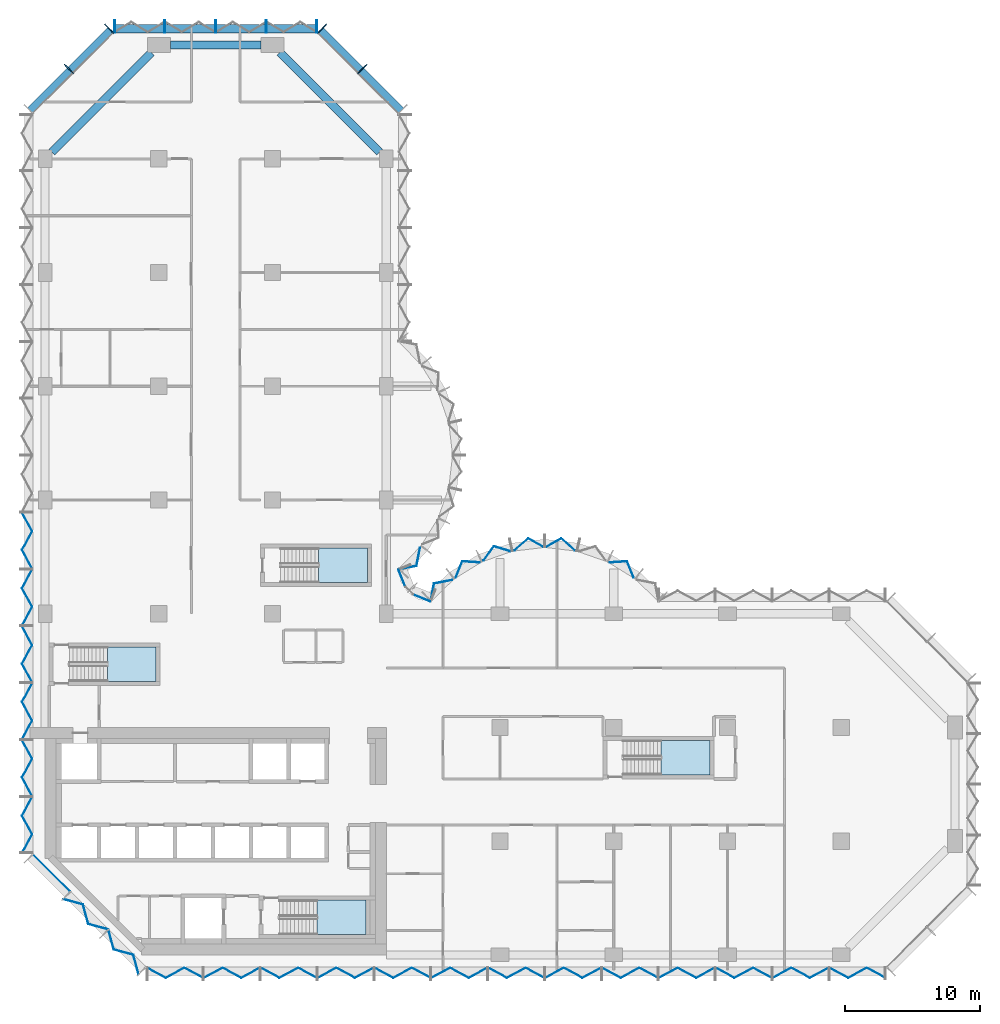
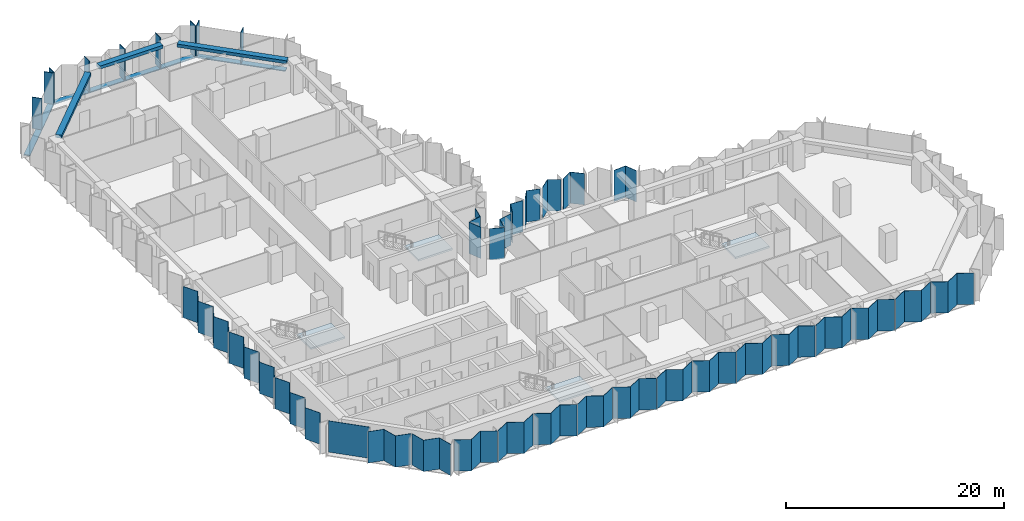
# One storey, part 5 of 13: 31 plates, 12 members, 4 slabs, 3 beams, 13 elements without a shape of their own.
"""IFC4 building model written with IfcOpenShell, lengths in metres."""

from ifc_helpers import new_model, si_unit, direction, frame, origin, origin_2d, place, context, subcontext, project, spatial, polyline, rectangle, outline, extrude, material, layer, layer_set, material_profile, profile_set, type_object, element, aggregate, save


model = new_model("IFC4")

# Units and contexts
model_context = context("Model", 3, precision=1e-05, world=origin(), true_north=direction((0.0, 1.0)))
body_context = subcontext(model_context, "Body", "Model", "MODEL_VIEW")
ifc_project = project(units=[si_unit("LENGTHUNIT", "METRE"), si_unit("AREAUNIT", "SQUARE_METRE"), si_unit("VOLUMEUNIT", "CUBIC_METRE"), si_unit("PLANEANGLEUNIT", "RADIAN"), si_unit("MASSUNIT", "GRAM", prefix="KILO")], contexts=[model_context])

# Site, building, storey
site_placement = place(None, origin())
site = spatial("IfcSite", under=ifc_project, at=site_placement, CompositionType="ELEMENT")
building_placement = place(site_placement, origin())
building = spatial("IfcBuilding", under=site, at=building_placement, Name="Brevane Broadcast Tower", CompositionType="ELEMENT")
storey_placement = place(building_placement, frame((0.0, 0.0, 106.10009765625)))
storey = spatial("IfcBuildingStorey", under=building, at=storey_placement, Name="L25", CompositionType="ELEMENT", Elevation=106.10009765625)

# Curtain wall, members
ifc_material_1 = material(Name="Aluminium 6063-T6 bronze anodised", Category="aluminium")
curtain_wall_type = type_object("IfcCurtainWallType", Name="CW-1 curtain wall", PredefinedType="NOTDEFINED", material=ifc_material_1)
curtain_wall_1_placement = place(storey_placement, origin())
curtain_wall_1 = element("IfcCurtainWall", 1, at=curtain_wall_1_placement, inside=storey, type_object=curtain_wall_type, Name="CW-1 typical tilted unit L25 north arm north-east chamfer", PredefinedType="NOTDEFINED")
ifc_material_profile_1 = material_profile(ifc_material_1, rectangle(XDim=0.949951171875, YDim=0.070068359375, at=origin_2d()), Name="RECT 70x950")
ifc_profile_set_1 = profile_set([ifc_material_profile_1], Name="Aluminium 6063-T6 bronze anodised")
member_type_1 = type_object("IfcMemberType", Name="CW-1 mullion 70x950", PredefinedType="MULLION", material=ifc_profile_set_1)
member_1_placement = place(storey_placement, frame((23.435791015625, 65.435791015625, -0.150146484375), z_axis=(0.0, 0.0, 1.0), x_axis=(-0.707106781187, -0.707106781187, 0.0)))
member_1 = element("IfcMember", 2, at=member_1_placement, type_object=member_type_1, Name="CW-1 mullion", PredefinedType="MULLION", context=body_context, shape_type="SweptSolid", body=[
    extrude(rectangle(XDim=0.949951171875, YDim=0.070068359375, at=origin_2d()), origin(), (0.0, 0.0, 1.0), 3.5),
])
member_2_placement = place(storey_placement, frame((20.460693359375, 68.4111328125, -0.150146484375), z_axis=(0.0, 0.0, 1.0), x_axis=(-0.707106781187, -0.707106781187, 0.0)))
member_2 = element("IfcMember", 3, at=member_2_placement, type_object=member_type_1, Name="CW-1 mullion", PredefinedType="MULLION", context=body_context, shape_type="SweptSolid", body=[
    extrude(rectangle(XDim=0.949951171875, YDim=0.070068359375, at=origin_2d()), origin(), (0.0, 0.0, 1.0), 3.5),
])

curtain_wall_2_placement = place(storey_placement, origin())
curtain_wall_2 = element("IfcCurtainWall", 4, at=curtain_wall_2_placement, inside=storey, type_object=curtain_wall_type, Name="CW-1 typical tilted unit L25 north end", PredefinedType="NOTDEFINED")
member_3_placement = place(storey_placement, frame((20.06494140625, 68.574951171875, -0.150146484375), z_axis=(0.0, 0.0, 1.0), x_axis=(0.0, -1.0, 0.0)))
member_3 = element("IfcMember", 5, at=member_3_placement, type_object=member_type_1, Name="CW-1 mullion", PredefinedType="MULLION", context=body_context, shape_type="SweptSolid", body=[
    extrude(rectangle(XDim=0.949951171875, YDim=0.070068359375, at=origin_2d()), origin(), (0.0, 0.0, 1.0), 3.5),
])
member_4_placement = place(storey_placement, frame((16.35009765625, 68.574951171875, -0.150146484375), z_axis=(0.0, 0.0, 1.0), x_axis=(0.0, -1.0, 0.0)))
member_4 = element("IfcMember", 6, at=member_4_placement, type_object=member_type_1, Name="CW-1 mullion", PredefinedType="MULLION", context=body_context, shape_type="SweptSolid", body=[
    extrude(rectangle(XDim=0.949951171875, YDim=0.070068359375, at=origin_2d()), origin(), (0.0, 0.0, 1.0), 3.5),
])
member_5_placement = place(storey_placement, frame((12.60009765625, 68.574951171875, -0.150146484375), z_axis=(0.0, 0.0, 1.0), x_axis=(0.0, -1.0, 0.0)))
member_5 = element("IfcMember", 7, at=member_5_placement, type_object=member_type_1, Name="CW-1 mullion", PredefinedType="MULLION", context=body_context, shape_type="SweptSolid", body=[
    extrude(rectangle(XDim=0.949951171875, YDim=0.070068359375, at=origin_2d()), origin(), (0.0, 0.0, 1.0), 3.5),
])
member_6_placement = place(storey_placement, frame((8.85009765625, 68.574951171875, -0.150146484375), z_axis=(0.0, 0.0, 1.0), x_axis=(0.0, -1.0, 0.0)))
member_6 = element("IfcMember", 8, at=member_6_placement, type_object=member_type_1, Name="CW-1 mullion", PredefinedType="MULLION", context=body_context, shape_type="SweptSolid", body=[
    extrude(rectangle(XDim=0.949951171875, YDim=0.070068359375, at=origin_2d()), origin(), (0.0, 0.0, 1.0), 3.5),
])
member_7_placement = place(storey_placement, frame((5.135009765625, 68.574951171875, -0.150146484375), z_axis=(0.0, 0.0, 1.0), x_axis=(0.0, -1.0, 0.0)))
member_7 = element("IfcMember", 9, at=member_7_placement, type_object=member_type_1, Name="CW-1 mullion", PredefinedType="MULLION", context=body_context, shape_type="SweptSolid", body=[
    extrude(rectangle(XDim=0.949951171875, YDim=0.070068359375, at=origin_2d()), origin(), (0.0, 0.0, 1.0), 3.5),
])

curtain_wall_3_placement = place(storey_placement, origin())
curtain_wall_3 = element("IfcCurtainWall", 10, at=curtain_wall_3_placement, inside=storey, type_object=curtain_wall_type, Name="CW-1 typical tilted unit L25 north-west chamfer", PredefinedType="NOTDEFINED")
member_8_placement = place(storey_placement, frame((4.7392578125, 68.4111328125, -0.150146484375), z_axis=(0.0, 0.0, 1.0), x_axis=(0.707106781187, -0.707106781187, 0.0)))
member_8 = element("IfcMember", 11, at=member_8_placement, type_object=member_type_1, Name="CW-1 mullion", PredefinedType="MULLION", context=body_context, shape_type="SweptSolid", body=[
    extrude(rectangle(XDim=0.949951171875, YDim=0.070068359375, at=origin_2d()), origin(), (0.0, 0.0, 1.0), 3.5),
])
member_9_placement = place(storey_placement, frame((1.76416015625, 65.435791015625, -0.150146484375), z_axis=(0.0, 0.0, 1.0), x_axis=(0.707106781187, -0.707106781187, 0.0)))
member_9 = element("IfcMember", 12, at=member_9_placement, type_object=member_type_1, Name="CW-1 mullion", PredefinedType="MULLION", context=body_context, shape_type="SweptSolid", body=[
    extrude(rectangle(XDim=0.949951171875, YDim=0.070068359375, at=origin_2d()), origin(), (0.0, 0.0, 1.0), 3.5),
])

# Member
ifc_material_profile_2 = material_profile(ifc_material_1, rectangle(XDim=0.60009765625, YDim=0.10009765625, at=origin_2d()), Name="RECT 100x600")
ifc_profile_set_2 = profile_set([ifc_material_profile_2], Name="Aluminium 6063-T6 bronze anodised")
member_type_2 = type_object("IfcMemberType", Name="CW-1 transom 100x600", PredefinedType="USERDEFINED", material=ifc_profile_set_2)
member_10_placement = place(storey_placement, frame((26.31201171875, 62.31201171875, -0.2001953125), z_axis=(-0.707106781187, 0.707106781187, 0.0), x_axis=(-0.707106781187, -0.707106781187, 0.0)))
member_10 = element("IfcMember", 13, at=member_10_placement, type_object=member_type_2, Name="CW-1 transom", ObjectType="TRANSOM", PredefinedType="USERDEFINED", context=body_context, shape_type="SweptSolid", body=[
    extrude(rectangle(XDim=0.60009765625, YDim=0.10009765625, at=origin_2d()), origin(), (0.0, 0.0, 1.0), 8.4853515625),
])

aggregate(curtain_wall_1, [member_1, member_2, member_10])

member_11_placement = place(storey_placement, frame((20.10009765625, 68.39990234375, -0.2001953125), z_axis=(-1.0, 0.0, 0.0), x_axis=(0.0, -1.0, 0.0)))
member_11 = element("IfcMember", 14, at=member_11_placement, type_object=member_type_2, Name="CW-1 transom", ObjectType="TRANSOM", PredefinedType="USERDEFINED", context=body_context, shape_type="SweptSolid", body=[
    extrude(rectangle(XDim=0.60009765625, YDim=0.10009765625, at=origin_2d()), origin(), (0.0, 0.0, 1.0), 15.0),
])

aggregate(curtain_wall_2, [member_3, member_4, member_5, member_6, member_7, member_11])

member_12_placement = place(storey_placement, frame((4.887939453125, 68.31201171875, -0.2001953125), z_axis=(-0.707106781187, -0.707106781187, 0.0), x_axis=(0.707106781187, -0.707106781187, 0.0)))
member_12 = element("IfcMember", 15, at=member_12_placement, type_object=member_type_2, Name="CW-1 transom", ObjectType="TRANSOM", PredefinedType="USERDEFINED", context=body_context, shape_type="SweptSolid", body=[
    extrude(rectangle(XDim=0.60009765625, YDim=0.10009765625, at=origin_2d()), origin(), (0.0, 0.0, 1.0), 8.4853515625),
])

aggregate(curtain_wall_3, [member_8, member_9, member_12])

# Beams
ifc_material_2 = material(Name="Concrete C40/50", Category="concrete")
ifc_material_profile_3 = material_profile(ifc_material_2, rectangle(XDim=0.60009765625, YDim=0.35009765625, at=origin_2d()), Name="RC 600x350")
ifc_profile_set_3 = profile_set([ifc_material_profile_3], Name="Concrete C40/50")
beam_type = type_object("IfcBeamType", Name="RC SPANDREL BEAM 600x350 C40/50", PredefinedType="SPANDREL", material=ifc_profile_set_3)
beam_1_placement = place(storey_placement, frame((24.699951171875, 59.300048828125, 3.1748046875), z_axis=(-0.707106781187, 0.707106781187, 0.0), x_axis=(-0.707106781187, -0.707106781187, 0.0)))
element("IfcBeam", 16, at=beam_1_placement, inside=storey, type_object=beam_type, Name="EB1 L25-16", PredefinedType="SPANDREL", context=body_context, shape_type="SweptSolid", body=[
    extrude(rectangle(XDim=0.60009765625, YDim=0.35009765625, at=origin_2d()), origin(), (0.0, 0.0, 1.0), 10.394287109375),
])
beam_2_placement = place(storey_placement, frame((15.949951171875, 67.199951171875, 3.1748046875), z_axis=(-1.0, 0.0, 0.0), x_axis=(0.0, -1.0, 0.0)))
element("IfcBeam", 17, at=beam_2_placement, inside=storey, type_object=beam_type, Name="EB1 L25-17", PredefinedType="SPANDREL", context=body_context, shape_type="SweptSolid", body=[
    extrude(rectangle(XDim=0.60009765625, YDim=0.35009765625, at=origin_2d()), origin(), (0.0, 0.0, 1.0), 6.699951171875),
])
beam_3_placement = place(storey_placement, frame((7.85009765625, 66.64990234375, 3.1748046875), z_axis=(-0.707118524903, -0.707095037275, 0.0), x_axis=(0.707095037275, -0.707118524903, 0.0)))
element("IfcBeam", 18, at=beam_3_placement, inside=storey, type_object=beam_type, Name="EB1 L25-18", PredefinedType="SPANDREL", context=body_context, shape_type="SweptSolid", body=[
    extrude(rectangle(XDim=0.60009765625, YDim=0.35009765625, at=origin_2d()), origin(), (0.0, 0.0, 1.0), 10.39453125),
])

# Curtain wall, plates
curtain_wall_4_placement = place(storey_placement, origin())
curtain_wall_4 = element("IfcCurtainWall", 19, at=curtain_wall_4_placement, inside=storey, type_object=curtain_wall_type, Name="CW-1 typical tilted unit L25 south face", PredefinedType="NOTDEFINED")
ifc_material_3 = material(Name="Laminated glass bronze-tinted", Category="glass")
ifc_layer_1 = layer(ifc_material_3, 0.0400390625)
ifc_layer_set_1 = layer_set([ifc_layer_1], Name="CW tall glass panel 40")
plate_type = type_object("IfcPlateType", Name="CW tall glass panel 40", PredefinedType="CURTAIN_PANEL", material=ifc_layer_set_1)
plate_1_placement = place(storey_placement, frame((0.0, 0.0, -0.150146484375)))
plate_1 = element("IfcPlate", 20, at=plate_1_placement, type_object=plate_type, Name="CW-1 glass panel", PredefinedType="CURTAIN_PANEL", context=body_context, shape_type="SweptSolid", body=[
    extrude(outline(polyline([(7.534912109375, -0.92724609375), (7.534912109375, -0.97265625), (8.91162109375, -1.717041015625), (10.288330078125, -0.97265625), (11.6650390625, -1.717041015625), (11.6650390625, -1.671630859375), (10.288330078125, -0.92724609375), (8.91162109375, -1.671630859375), (7.534912109375, -0.92724609375)])), origin(), (0.0, 0.0, 1.0), 3.5),
])
plate_2_placement = place(storey_placement, frame((0.0, 0.0, -0.150146484375)))
plate_2 = element("IfcPlate", 21, at=plate_2_placement, type_object=plate_type, Name="CW-1 glass panel", PredefinedType="CURTAIN_PANEL", context=body_context, shape_type="SweptSolid", body=[
    extrude(outline(polyline([(11.735107421875, -1.671630859375), (11.735107421875, -1.717041015625), (13.11181640625, -0.97265625), (14.48828125, -1.717041015625), (15.864990234375, -0.97265625), (15.864990234375, -0.92724609375), (14.48828125, -1.671630859375), (13.11181640625, -0.92724609375), (11.735107421875, -1.671630859375)])), origin(), (0.0, 0.0, 1.0), 3.5),
])
plate_3_placement = place(storey_placement, frame((0.0, 0.0, -0.150146484375)))
plate_3 = element("IfcPlate", 22, at=plate_3_placement, type_object=plate_type, Name="CW-1 glass panel", PredefinedType="CURTAIN_PANEL", context=body_context, shape_type="SweptSolid", body=[
    extrude(outline(polyline([(15.93505859375, -0.92724609375), (15.93505859375, -0.97265625), (17.311767578125, -1.717041015625), (18.688232421875, -0.97265625), (20.06494140625, -1.717041015625), (20.06494140625, -1.671630859375), (18.688232421875, -0.92724609375), (17.311767578125, -1.671630859375), (15.93505859375, -0.92724609375)])), origin(), (0.0, 0.0, 1.0), 3.5),
])
plate_4_placement = place(storey_placement, frame((0.0, 0.0, -0.150146484375)))
plate_4 = element("IfcPlate", 23, at=plate_4_placement, type_object=plate_type, Name="CW-1 glass panel", PredefinedType="CURTAIN_PANEL", context=body_context, shape_type="SweptSolid", body=[
    extrude(outline(polyline([(20.135009765625, -1.671630859375), (20.135009765625, -1.717041015625), (21.51171875, -0.97265625), (22.88818359375, -1.717041015625), (24.264892578125, -0.97265625), (24.264892578125, -0.92724609375), (22.88818359375, -1.671630859375), (21.51171875, -0.92724609375), (20.135009765625, -1.671630859375)])), origin(), (0.0, 0.0, 1.0), 3.5),
])
plate_5_placement = place(storey_placement, frame((0.0, 0.0, -0.150146484375)))
plate_5 = element("IfcPlate", 24, at=plate_5_placement, type_object=plate_type, Name="CW-1 glass panel", PredefinedType="CURTAIN_PANEL", context=body_context, shape_type="SweptSolid", body=[
    extrude(outline(polyline([(24.3349609375, -0.92724609375), (24.3349609375, -0.97265625), (25.711669921875, -1.717041015625), (27.08837890625, -0.97265625), (28.465087890625, -1.717041015625), (28.465087890625, -1.671630859375), (27.08837890625, -0.92724609375), (25.711669921875, -1.671630859375), (24.3349609375, -0.92724609375)])), origin(), (0.0, 0.0, 1.0), 3.5),
])
plate_6_placement = place(storey_placement, frame((0.0, 0.0, -0.150146484375)))
plate_6 = element("IfcPlate", 25, at=plate_6_placement, type_object=plate_type, Name="CW-1 glass panel", PredefinedType="CURTAIN_PANEL", context=body_context, shape_type="SweptSolid", body=[
    extrude(outline(polyline([(28.534912109375, -1.671630859375), (28.534912109375, -1.717041015625), (29.91162109375, -0.97265625), (31.288330078125, -1.717041015625), (32.6650390625, -0.97265625), (32.6650390625, -0.92724609375), (31.288330078125, -1.671630859375), (29.91162109375, -0.92724609375), (28.534912109375, -1.671630859375)])), origin(), (0.0, 0.0, 1.0), 3.5),
])
plate_7_placement = place(storey_placement, frame((0.0, 0.0, -0.150146484375)))
plate_7 = element("IfcPlate", 26, at=plate_7_placement, type_object=plate_type, Name="CW-1 glass panel", PredefinedType="CURTAIN_PANEL", context=body_context, shape_type="SweptSolid", body=[
    extrude(outline(polyline([(32.735107421875, -0.92724609375), (32.735107421875, -0.97265625), (34.11181640625, -1.717041015625), (35.48828125, -0.97265625), (36.864990234375, -1.717041015625), (36.864990234375, -1.671630859375), (35.48828125, -0.92724609375), (34.11181640625, -1.671630859375), (32.735107421875, -0.92724609375)])), origin(), (0.0, 0.0, 1.0), 3.5),
])
plate_8_placement = place(storey_placement, frame((0.0, 0.0, -0.150146484375)))
plate_8 = element("IfcPlate", 27, at=plate_8_placement, type_object=plate_type, Name="CW-1 glass panel", PredefinedType="CURTAIN_PANEL", context=body_context, shape_type="SweptSolid", body=[
    extrude(outline(polyline([(36.93505859375, -1.671630859375), (36.93505859375, -1.717041015625), (38.311767578125, -0.97265625), (39.688232421875, -1.717041015625), (41.06494140625, -0.97265625), (41.06494140625, -0.92724609375), (39.688232421875, -1.671630859375), (38.311767578125, -0.92724609375), (36.93505859375, -1.671630859375)])), origin(), (0.0, 0.0, 1.0), 3.5),
])
plate_9_placement = place(storey_placement, frame((0.0, 0.0, -0.150146484375)))
plate_9 = element("IfcPlate", 28, at=plate_9_placement, type_object=plate_type, Name="CW-1 glass panel", PredefinedType="CURTAIN_PANEL", context=body_context, shape_type="SweptSolid", body=[
    extrude(outline(polyline([(41.135009765625, -0.92724609375), (41.135009765625, -0.97265625), (42.51171875, -1.717041015625), (43.88818359375, -0.97265625), (45.264892578125, -1.717041015625), (45.264892578125, -1.671630859375), (43.88818359375, -0.92724609375), (42.51171875, -1.671630859375), (41.135009765625, -0.92724609375)])), origin(), (0.0, 0.0, 1.0), 3.5),
])
plate_10_placement = place(storey_placement, frame((0.0, 0.0, -0.150146484375)))
plate_10 = element("IfcPlate", 29, at=plate_10_placement, type_object=plate_type, Name="CW-1 glass panel", PredefinedType="CURTAIN_PANEL", context=body_context, shape_type="SweptSolid", body=[
    extrude(outline(polyline([(45.3349609375, -1.671630859375), (45.3349609375, -1.717041015625), (46.711669921875, -0.97265625), (48.08837890625, -1.717041015625), (49.465087890625, -0.97265625), (49.465087890625, -0.92724609375), (48.08837890625, -1.671630859375), (46.711669921875, -0.92724609375), (45.3349609375, -1.671630859375)])), origin(), (0.0, 0.0, 1.0), 3.5),
])
plate_11_placement = place(storey_placement, frame((0.0, 0.0, -0.150146484375)))
plate_11 = element("IfcPlate", 30, at=plate_11_placement, type_object=plate_type, Name="CW-1 glass panel", PredefinedType="CURTAIN_PANEL", context=body_context, shape_type="SweptSolid", body=[
    extrude(outline(polyline([(49.534912109375, -0.92724609375), (49.534912109375, -0.97265625), (50.91162109375, -1.717041015625), (52.288330078125, -0.97265625), (53.6650390625, -1.717041015625), (53.6650390625, -1.671630859375), (52.288330078125, -0.92724609375), (50.91162109375, -1.671630859375), (49.534912109375, -0.92724609375)])), origin(), (0.0, 0.0, 1.0), 3.5),
])
plate_12_placement = place(storey_placement, frame((0.0, 0.0, -0.150146484375)))
plate_12 = element("IfcPlate", 31, at=plate_12_placement, type_object=plate_type, Name="CW-1 glass panel", PredefinedType="CURTAIN_PANEL", context=body_context, shape_type="SweptSolid", body=[
    extrude(outline(polyline([(53.735107421875, -1.671630859375), (53.735107421875, -1.717041015625), (55.11181640625, -0.97265625), (56.48828125, -1.717041015625), (57.864990234375, -0.97265625), (57.864990234375, -0.92724609375), (56.48828125, -1.671630859375), (55.11181640625, -0.92724609375), (53.735107421875, -1.671630859375)])), origin(), (0.0, 0.0, 1.0), 3.5),
])
plate_13_placement = place(storey_placement, frame((0.0, 0.0, -0.150146484375)))
plate_13 = element("IfcPlate", 32, at=plate_13_placement, type_object=plate_type, Name="CW-1 glass panel", PredefinedType="CURTAIN_PANEL", context=body_context, shape_type="SweptSolid", body=[
    extrude(outline(polyline([(57.93505859375, -0.92724609375), (57.93505859375, -0.97265625), (59.311767578125, -1.717041015625), (60.688232421875, -0.97265625), (62.06494140625, -1.717041015625), (62.06494140625, -1.671630859375), (60.688232421875, -0.92724609375), (59.311767578125, -1.671630859375), (57.93505859375, -0.92724609375)])), origin(), (0.0, 0.0, 1.0), 3.5),
])
aggregate(curtain_wall_4, [plate_1, plate_2, plate_3, plate_4, plate_5, plate_6, plate_7, plate_8, plate_9, plate_10, plate_11, plate_12, plate_13])

curtain_wall_5_placement = place(storey_placement, origin())
curtain_wall_5 = element("IfcCurtainWall", 33, at=curtain_wall_5_placement, inside=storey, type_object=curtain_wall_type, Name="CW-1 typical tilted unit L25 east bow", PredefinedType="NOTDEFINED")
plate_14_placement = place(storey_placement, frame((0.0, 0.0, -0.150146484375)))
plate_14 = element("IfcPlate", 34, at=plate_14_placement, type_object=plate_type, Name="CW-1 glass panel", PredefinedType="CURTAIN_PANEL", context=body_context, shape_type="SweptSolid", body=[
    extrude(outline(polyline([(43.45703125, 27.8759765625), (43.4853515625, 27.912109375), (43.00390625, 29.089111328125), (41.710693359375, 29.006591796875), (41.69091796875, 28.96533203125), (42.977783203125, 29.04736328125), (43.45703125, 27.8759765625)])), origin(), (0.0, 0.0, 1.0), 3.5),
])
plate_15_placement = place(storey_placement, frame((0.0, 0.0, -0.150146484375)))
plate_15 = element("IfcPlate", 35, at=plate_15_placement, type_object=plate_type, Name="CW-1 glass panel", PredefinedType="CURTAIN_PANEL", context=body_context, shape_type="SweptSolid", body=[
    extrude(outline(polyline([(39.125, 29.859619140625), (39.13525390625, 29.903564453125), (38.116943359375, 30.779296875), (37.008056640625, 30.15869140625), (37.008056640625, 30.11279296875), (38.112060546875, 30.730712890625), (39.125, 29.859619140625)])), origin(), (0.0, 0.0, 1.0), 3.5),
])
plate_16_placement = place(storey_placement, frame((0.0, 0.0, -0.150146484375)))
plate_16 = element("IfcPlate", 36, at=plate_16_placement, type_object=plate_type, Name="CW-1 glass panel", PredefinedType="CURTAIN_PANEL", context=body_context, shape_type="SweptSolid", body=[
    extrude(outline(polyline([(36.7919921875, 30.11279296875), (36.7919921875, 30.15869140625), (35.68310546875, 30.779296875), (34.664794921875, 29.903564453125), (34.6748046875, 29.859619140625), (35.68798828125, 30.730712890625), (36.7919921875, 30.11279296875)])), origin(), (0.0, 0.0, 1.0), 3.5),
])
plate_17_placement = place(storey_placement, frame((0.0, 0.0, -0.150146484375)))
plate_17 = element("IfcPlate", 37, at=plate_17_placement, type_object=plate_type, Name="CW-1 glass panel", PredefinedType="CURTAIN_PANEL", context=body_context, shape_type="SweptSolid", body=[
    extrude(outline(polyline([(34.359619140625, 29.78857421875), (34.349365234375, 29.83349609375), (33.132080078125, 30.20166015625), (32.381103515625, 29.1455078125), (32.400634765625, 29.104248046875), (33.148193359375, 30.155029296875), (34.359619140625, 29.78857421875)])), origin(), (0.0, 0.0, 1.0), 3.5),
])
plate_18_placement = place(storey_placement, frame((0.0, 0.0, -0.150146484375)))
plate_18 = element("IfcPlate", 38, at=plate_18_placement, type_object=plate_type, Name="CW-1 glass panel", PredefinedType="CURTAIN_PANEL", context=body_context, shape_type="SweptSolid", body=[
    extrude(outline(polyline([(32.10888671875, 28.96533203125), (32.08935546875, 29.006591796875), (30.7958984375, 29.089111328125), (30.314697265625, 27.912109375), (30.343017578125, 27.8759765625), (30.822265625, 29.04736328125), (32.10888671875, 28.96533203125)])), origin(), (0.0, 0.0, 1.0), 3.5),
])
plate_19_placement = place(storey_placement, frame((0.0, 0.0, -0.150146484375)))
plate_19 = element("IfcPlate", 39, at=plate_19_placement, type_object=plate_type, Name="CW-1 glass panel", PredefinedType="CURTAIN_PANEL", context=body_context, shape_type="SweptSolid", body=[
    extrude(outline(polyline([(30.089111328125, 27.67626953125), (30.0615234375, 27.71142578125), (28.7138671875, 27.447265625), (28.471923828125, 26.17919921875), (28.506103515625, 26.14404296875), (28.748046875, 27.4130859375), (30.089111328125, 27.67626953125)])), origin(), (0.0, 0.0, 1.0), 3.5),
])
aggregate(curtain_wall_5, [plate_14, plate_15, plate_16, plate_17, plate_18, plate_19])

curtain_wall_6_placement = place(storey_placement, origin())
curtain_wall_6 = element("IfcCurtainWall", 40, at=curtain_wall_6_placement, inside=storey, type_object=curtain_wall_type, Name="CW-1 typical tilted unit L25 inner corner", PredefinedType="NOTDEFINED")
plate_20_placement = place(storey_placement, frame((0.0, 0.0, -0.150146484375)))
plate_20 = element("IfcPlate", 41, at=plate_20_placement, type_object=plate_type, Name="CW-1 glass panel", PredefinedType="CURTAIN_PANEL", context=body_context, shape_type="SweptSolid", body=[
    extrude(outline(polyline([(28.45166015625, 26.07470703125), (28.466796875, 26.111572265625), (27.2021484375, 26.635498046875), (27.17138671875, 26.60498046875), (28.45166015625, 26.07470703125)])), origin(), (0.0, 0.0, 1.0), 3.5),
])
plate_21_placement = place(storey_placement, frame((0.0, 0.0, -0.150146484375)))
plate_21 = element("IfcPlate", 42, at=plate_21_placement, type_object=plate_type, Name="CW-1 glass panel", PredefinedType="CURTAIN_PANEL", context=body_context, shape_type="SweptSolid", body=[
    extrude(outline(polyline([(26.60498046875, 27.17138671875), (26.635498046875, 27.2021484375), (26.111572265625, 28.466796875), (26.07470703125, 28.45166015625), (26.60498046875, 27.17138671875)])), origin(), (0.0, 0.0, 1.0), 3.5),
])
aggregate(curtain_wall_6, [plate_20, plate_21])

# Curtain wall, plate
curtain_wall_7_placement = place(storey_placement, origin())
curtain_wall_7 = element("IfcCurtainWall", 43, at=curtain_wall_7_placement, inside=storey, type_object=curtain_wall_type, Name="CW-1 typical tilted unit L25 north bow", PredefinedType="NOTDEFINED")
plate_22_placement = place(storey_placement, frame((0.0, 0.0, -0.150146484375)))
plate_22 = element("IfcPlate", 44, at=plate_22_placement, type_object=plate_type, Name="CW-1 glass panel", PredefinedType="CURTAIN_PANEL", context=body_context, shape_type="SweptSolid", body=[
    extrude(outline(polyline([(26.14404296875, 28.506103515625), (26.17919921875, 28.471923828125), (27.447265625, 28.7138671875), (27.71142578125, 30.0615234375), (27.67626953125, 30.089111328125), (27.4130859375, 28.748046875), (26.14404296875, 28.506103515625)])), origin(), (0.0, 0.0, 1.0), 3.5),
])
aggregate(curtain_wall_7, [plate_22])

# Curtain wall, plates
curtain_wall_8_placement = place(storey_placement, origin())
curtain_wall_8 = element("IfcCurtainWall", 45, at=curtain_wall_8_placement, inside=storey, type_object=curtain_wall_type, Name="CW-1 typical tilted unit L25 west face", PredefinedType="NOTDEFINED")
plate_23_placement = place(storey_placement, frame((0.0, 0.0, -0.150146484375)))
plate_23 = element("IfcPlate", 46, at=plate_23_placement, type_object=plate_type, Name="CW-1 glass panel", PredefinedType="CURTAIN_PANEL", context=body_context, shape_type="SweptSolid", body=[
    extrude(outline(polyline([(-1.671630859375, 32.6650390625), (-1.717041015625, 32.6650390625), (-0.97265625, 31.288330078125), (-1.717041015625, 29.91162109375), (-0.97265625, 28.534912109375), (-0.92724609375, 28.534912109375), (-1.671630859375, 29.91162109375), (-0.92724609375, 31.288330078125), (-1.671630859375, 32.6650390625)])), origin(), (0.0, 0.0, 1.0), 3.5),
])
plate_24_placement = place(storey_placement, frame((0.0, 0.0, -0.150146484375)))
plate_24 = element("IfcPlate", 47, at=plate_24_placement, type_object=plate_type, Name="CW-1 glass panel", PredefinedType="CURTAIN_PANEL", context=body_context, shape_type="SweptSolid", body=[
    extrude(outline(polyline([(-0.92724609375, 28.465087890625), (-0.97265625, 28.465087890625), (-1.717041015625, 27.08837890625), (-0.97265625, 25.711669921875), (-1.717041015625, 24.3349609375), (-1.671630859375, 24.3349609375), (-0.92724609375, 25.711669921875), (-1.671630859375, 27.08837890625), (-0.92724609375, 28.465087890625)])), origin(), (0.0, 0.0, 1.0), 3.5),
])
plate_25_placement = place(storey_placement, frame((0.0, 0.0, -0.150146484375)))
plate_25 = element("IfcPlate", 48, at=plate_25_placement, type_object=plate_type, Name="CW-1 glass panel", PredefinedType="CURTAIN_PANEL", context=body_context, shape_type="SweptSolid", body=[
    extrude(outline(polyline([(-1.671630859375, 24.264892578125), (-1.717041015625, 24.264892578125), (-0.97265625, 22.88818359375), (-1.717041015625, 21.51171875), (-0.97265625, 20.135009765625), (-0.92724609375, 20.135009765625), (-1.671630859375, 21.51171875), (-0.92724609375, 22.88818359375), (-1.671630859375, 24.264892578125)])), origin(), (0.0, 0.0, 1.0), 3.5),
])
plate_26_placement = place(storey_placement, frame((0.0, 0.0, -0.150146484375)))
plate_26 = element("IfcPlate", 49, at=plate_26_placement, type_object=plate_type, Name="CW-1 glass panel", PredefinedType="CURTAIN_PANEL", context=body_context, shape_type="SweptSolid", body=[
    extrude(outline(polyline([(-0.92724609375, 20.06494140625), (-0.97265625, 20.06494140625), (-1.717041015625, 18.688232421875), (-0.97265625, 17.311767578125), (-1.717041015625, 15.93505859375), (-1.671630859375, 15.93505859375), (-0.92724609375, 17.311767578125), (-1.671630859375, 18.688232421875), (-0.92724609375, 20.06494140625)])), origin(), (0.0, 0.0, 1.0), 3.5),
])
plate_27_placement = place(storey_placement, frame((0.0, 0.0, -0.150146484375)))
plate_27 = element("IfcPlate", 50, at=plate_27_placement, type_object=plate_type, Name="CW-1 glass panel", PredefinedType="CURTAIN_PANEL", context=body_context, shape_type="SweptSolid", body=[
    extrude(outline(polyline([(-1.671630859375, 15.864990234375), (-1.717041015625, 15.864990234375), (-0.97265625, 14.48828125), (-1.717041015625, 13.11181640625), (-0.97265625, 11.735107421875), (-0.92724609375, 11.735107421875), (-1.671630859375, 13.11181640625), (-0.92724609375, 14.48828125), (-1.671630859375, 15.864990234375)])), origin(), (0.0, 0.0, 1.0), 3.5),
])
plate_28_placement = place(storey_placement, frame((0.0, 0.0, -0.150146484375)))
plate_28 = element("IfcPlate", 51, at=plate_28_placement, type_object=plate_type, Name="CW-1 glass panel", PredefinedType="CURTAIN_PANEL", context=body_context, shape_type="SweptSolid", body=[
    extrude(outline(polyline([(-0.92724609375, 11.6650390625), (-0.97265625, 11.6650390625), (-1.717041015625, 10.288330078125), (-0.97265625, 8.91162109375), (-1.717041015625, 7.534912109375), (-1.671630859375, 7.534912109375), (-0.92724609375, 8.91162109375), (-1.671630859375, 10.288330078125), (-0.92724609375, 11.6650390625)])), origin(), (0.0, 0.0, 1.0), 3.5),
])
aggregate(curtain_wall_8, [plate_23, plate_24, plate_25, plate_26, plate_27, plate_28])

curtain_wall_9_placement = place(storey_placement, origin())
curtain_wall_9 = element("IfcCurtainWall", 52, at=curtain_wall_9_placement, inside=storey, type_object=curtain_wall_type, Name="CW-1 typical tilted unit L25 south-west chamfer", PredefinedType="NOTDEFINED")
plate_29_placement = place(storey_placement, frame((0.0, 0.0, -0.150146484375)))
plate_29 = element("IfcPlate", 53, at=plate_29_placement, type_object=plate_type, Name="CW-1 glass panel", PredefinedType="CURTAIN_PANEL", context=body_context, shape_type="SweptSolid", body=[
    extrude(outline(polyline([(-0.896484375, 7.4541015625), (1.85400390625, 4.70361328125), (1.82568359375, 4.67529296875), (-0.9248046875, 7.42578125), (-0.896484375, 7.4541015625)])), origin(), (0.0, 0.0, 1.0), 3.5),
])
plate_30_placement = place(storey_placement, frame((0.0, 0.0, -0.150146484375)))
plate_30 = element("IfcPlate", 54, at=plate_30_placement, type_object=plate_type, Name="CW-1 glass panel", PredefinedType="CURTAIN_PANEL", context=body_context, shape_type="SweptSolid", body=[
    extrude(outline(polyline([(1.37939453125, 4.1298828125), (1.3466796875, 4.09716796875), (2.789794921875, 3.706787109375), (3.180419921875, 2.263671875), (4.62353515625, 1.873046875), (4.65625, 1.90576171875), (3.212890625, 2.296142578125), (2.822509765625, 3.739501953125), (1.37939453125, 4.1298828125)])), origin(), (0.0, 0.0, 1.0), 3.5),
])
plate_31_placement = place(storey_placement, frame((0.0, 0.0, -0.150146484375)))
plate_31 = element("IfcPlate", 55, at=plate_31_placement, type_object=plate_type, Name="CW-1 glass panel", PredefinedType="CURTAIN_PANEL", context=body_context, shape_type="SweptSolid", body=[
    extrude(outline(polyline([(4.705810546875, 1.856201171875), (4.673095703125, 1.823486328125), (5.063720703125, 0.38037109375), (6.5068359375, -0.010009765625), (6.897216796875, -1.453369140625), (6.9296875, -1.420654296875), (6.539306640625, 0.0224609375), (5.09619140625, 0.4130859375), (4.705810546875, 1.856201171875)])), origin(), (0.0, 0.0, 1.0), 3.5),
])
aggregate(curtain_wall_9, [plate_29, plate_30, plate_31])

# Stair, slab
ifc_material_4 = material(Name="Concrete C50/60", Category="concrete")
stair_type = type_object("IfcStairType", Name="Exit stair 22 risers", PredefinedType="HALF_TURN_STAIR", material=ifc_material_4)
stair_1_placement = place(storey_placement, origin())
stair_1 = element("IfcStair", 56, at=stair_1_placement, inside=storey, type_object=stair_type, Name="L25 Exit stair ST-1", PredefinedType="HALF_TURN_STAIR")
ifc_layer_2 = layer(ifc_material_4, 0.199951171875)
ifc_layer_set_2 = layer_set([ifc_layer_2], Name="Exit stair landing")
slab_type = type_object("IfcSlabType", Name="Exit stair landing", PredefinedType="LANDING", material=ifc_layer_set_2)
slab_1_placement = place(storey_placement, frame((0.0, 0.0, 1.599853515625)))
slab_1 = element("IfcSlab", 57, at=slab_1_placement, type_object=slab_type, Name="ST-1 landing 1", PredefinedType="LANDING", context=body_context, shape_type="SweptSolid", body=[
    extrude(outline(polyline([(4.60009765625, 20.199951171875), (8.199951171875, 20.199951171875), (8.199951171875, 22.75), (4.60009765625, 22.75), (4.60009765625, 20.199951171875)])), origin(), (0.0, 0.0, 1.0), 0.199951171875),
])
aggregate(stair_1, [slab_1])

stair_2_placement = place(storey_placement, origin())
stair_2 = element("IfcStair", 58, at=stair_2_placement, inside=storey, type_object=stair_type, Name="L25 Exit stair ST-2", PredefinedType="HALF_TURN_STAIR")
slab_2_placement = place(storey_placement, frame((0.0, 0.0, 1.599853515625)))
slab_2 = element("IfcSlab", 59, at=slab_2_placement, type_object=slab_type, Name="ST-2 landing 1", PredefinedType="LANDING", context=body_context, shape_type="SweptSolid", body=[
    extrude(outline(polyline([(20.10009765625, 1.5), (23.699951171875, 1.5), (23.699951171875, 4.050048828125), (20.10009765625, 4.050048828125), (20.10009765625, 1.5)])), origin(), (0.0, 0.0, 1.0), 0.199951171875),
])
aggregate(stair_2, [slab_2])

stair_3_placement = place(storey_placement, origin())
stair_3 = element("IfcStair", 60, at=stair_3_placement, inside=storey, type_object=stair_type, Name="L25 Exit stair ST-3", PredefinedType="HALF_TURN_STAIR")
slab_3_placement = place(storey_placement, frame((0.0, 0.0, 1.599853515625)))
slab_3 = element("IfcSlab", 61, at=slab_3_placement, type_object=slab_type, Name="ST-3 landing 1", PredefinedType="LANDING", context=body_context, shape_type="SweptSolid", body=[
    extrude(outline(polyline([(20.199951171875, 27.5), (23.800048828125, 27.5), (23.800048828125, 30.050048828125), (20.199951171875, 30.050048828125), (20.199951171875, 27.5)])), origin(), (0.0, 0.0, 1.0), 0.199951171875),
])
aggregate(stair_3, [slab_3])

stair_4_placement = place(storey_placement, origin())
stair_4 = element("IfcStair", 62, at=stair_4_placement, inside=storey, type_object=stair_type, Name="L25 Exit stair ST-4", PredefinedType="HALF_TURN_STAIR")
slab_4_placement = place(storey_placement, frame((0.0, 0.0, 1.599853515625)))
slab_4 = element("IfcSlab", 63, at=slab_4_placement, type_object=slab_type, Name="ST-4 landing 1", PredefinedType="LANDING", context=body_context, shape_type="SweptSolid", body=[
    extrude(outline(polyline([(45.5, 13.300048828125), (49.10009765625, 13.300048828125), (49.10009765625, 15.85009765625), (45.5, 15.85009765625), (45.5, 13.300048828125)])), origin(), (0.0, 0.0, 1.0), 0.199951171875),
])
aggregate(stair_4, [slab_4])

save(model, "model.ifc")
